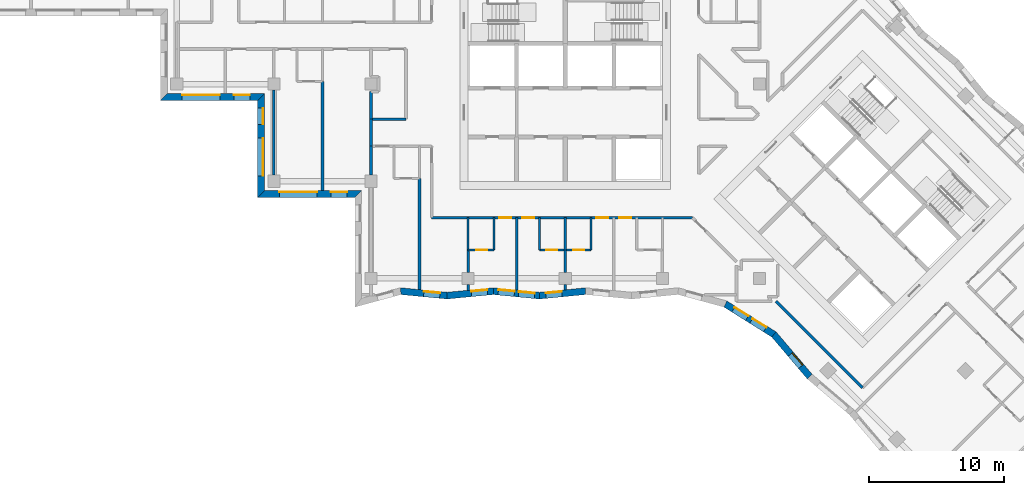
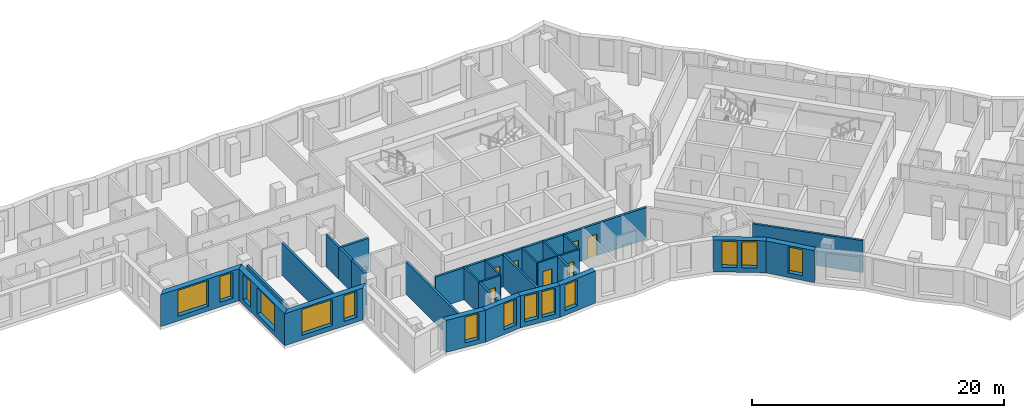
# One storey, part 2 of 12: 30 walls, 14 windows, 7 doors, 21 openings.
"""IFC4 building model written with IfcOpenShell, lengths in metres."""

from ifc_helpers import new_model, si_unit, direction, frame, frame_2d, origin, place, context, subcontext, project, spatial, polyline, rectangle, outline, extrude, material, layer, layer_set, type_object, element, fill, save


model = new_model("IFC4")

# Units and contexts
model_context = context("Model", 3, precision=1e-05, world=origin(), true_north=direction((0.0, 1.0)))
body_context = subcontext(model_context, "Body", "Model", "MODEL_VIEW")
ifc_project = project(units=[si_unit("LENGTHUNIT", "METRE"), si_unit("AREAUNIT", "SQUARE_METRE"), si_unit("VOLUMEUNIT", "CUBIC_METRE"), si_unit("PLANEANGLEUNIT", "RADIAN"), si_unit("MASSUNIT", "GRAM", prefix="KILO")], contexts=[model_context])

# Site, building, storey
site_placement = place(None, origin())
site = spatial("IfcSite", under=ifc_project, at=site_placement, CompositionType="ELEMENT")
building_placement = place(site_placement, origin())
building = spatial("IfcBuilding", under=site, at=building_placement, Name="Windrow Commons", CompositionType="ELEMENT")
storey_placement = place(building_placement, frame((0.0, 0.0, 138.8)))
storey = spatial("IfcBuildingStorey", under=building, at=storey_placement, Name="L37", CompositionType="ELEMENT", Elevation=138.8)

# Wall, openings, windows
ifc_material_1 = material(Name="Brick masonry, red clay brick", Category="masonry")
ifc_layer_1 = layer(ifc_material_1, 0.5)
ifc_layer_set_1 = layer_set([ifc_layer_1], Name="Brick facade wall 500")
wall_type_1 = type_object("IfcWallType", Name="Brick facade wall 500", PredefinedType="SOLIDWALL", material=ifc_layer_set_1)
wall_1_placement = place(storey_placement, frame((35.05, 56.65, 0.0), z_axis=(0.0, 0.0, 1.0), x_axis=(1.0, 0.0, 0.0)))
wall_1 = element("IfcWall", 1, at=wall_1_placement, inside=storey, type_object=wall_type_1, Name="Brick facade wall L37 38", PredefinedType="SOLIDWALL", context=body_context, shape_type="SweptSolid", body=[
    extrude(outline(polyline([(-0.25, -0.25), (6.95, -0.25), (7.45, 0.25), (0.25, 0.25), (-0.25, -0.25)])), origin(), (0.0, 0.0, 1.0), 3.1),
])
opening_1_placement = place(wall_1_placement, frame((1.35, 0.0, 0.45)))
opening_1 = element("IfcOpeningElement", 2, at=opening_1_placement, cuts=wall_1, Name="Opening W1U", PredefinedType="OPENING", context=body_context, shape_type="SweptSolid", body=[
    extrude(rectangle(XDim=2.8, YDim=2.5, at=frame_2d((1.4, 1.25))), frame((0.0, 0.26, 0.0), z_axis=(0.0, -1.0, 0.0), x_axis=(1.0, 0.0, 0.0)), (0.0, 0.0, 1.0), 0.52),
])
opening_2_placement = place(wall_1_placement, frame((5.175, 0.0, 0.45)))
opening_2 = element("IfcOpeningElement", 3, at=opening_2_placement, cuts=wall_1, Name="Opening W7E", PredefinedType="OPENING", context=body_context, shape_type="SweptSolid", body=[
    extrude(rectangle(XDim=1.2, YDim=2.5, at=frame_2d((0.6, 1.25))), frame((0.0, 0.26, 0.0), z_axis=(0.0, -1.0, 0.0), x_axis=(1.0, 0.0, 0.0)), (0.0, 0.0, 1.0), 0.52),
])
ifc_material_2 = material(Name="Clear float glass in anodised aluminium frame", Category="aluminium")
window_type_1 = type_object("IfcWindowType", Name="Window W1U bedroom 2800x2500", PartitioningType="SINGLE_PANEL", PredefinedType="WINDOW", material=ifc_material_2)
window_1_placement = place(opening_1_placement, origin())
window_1 = element("IfcWindow", 4, at=window_1_placement, inside=storey, type_object=window_type_1, Name="Window L37 38.1", OverallHeight=2.5, OverallWidth=2.8, PartitioningType="SINGLE_PANEL", PredefinedType="WINDOW", context=body_context, shape_type="SweptSolid", body=[
    extrude(rectangle(XDim=2.8, YDim=2.5, at=frame_2d((1.4, 1.25))), frame((0.0, 0.18, 0.0), z_axis=(0.0, -1.0, 0.0), x_axis=(1.0, 0.0, 0.0)), (0.0, 0.0, 1.0), 0.06),
])
fill(opening_1, window_1)
ifc_material_3 = material(Name="Clear float glass in anodised aluminium frame", Category="aluminium")
window_type_2 = type_object("IfcWindowType", Name="Window W7 notch 1200x2500", PartitioningType="SINGLE_PANEL", PredefinedType="WINDOW", material=ifc_material_3)
window_2_placement = place(opening_2_placement, origin())
window_2 = element("IfcWindow", 5, at=window_2_placement, inside=storey, type_object=window_type_2, Name="Window L37 38.2", OverallHeight=2.5, OverallWidth=1.2, PartitioningType="SINGLE_PANEL", PredefinedType="WINDOW", context=body_context, shape_type="SweptSolid", body=[
    extrude(rectangle(XDim=1.2, YDim=2.5, at=frame_2d((0.6, 1.25))), frame((0.0, 0.18, 0.0), z_axis=(0.0, -1.0, 0.0), x_axis=(1.0, 0.0, 0.0)), (0.0, 0.0, 1.0), 0.06),
])
fill(opening_2, window_2)

wall_2_placement = place(storey_placement, frame((42.25, 56.65, 0.0), z_axis=(0.0, 0.0, 1.0), x_axis=(0.0, -1.0, 0.0)))
wall_2 = element("IfcWall", 6, at=wall_2_placement, inside=storey, type_object=wall_type_1, Name="Brick facade wall L37 39", PredefinedType="SOLIDWALL", context=body_context, shape_type="SweptSolid", body=[
    extrude(outline(polyline([(0.25, -0.25), (7.45, -0.25), (6.95, 0.25), (-0.25, 0.25), (0.25, -0.25)])), origin(), (0.0, 0.0, 1.0), 3.1),
])
opening_3_placement = place(wall_2_placement, frame((3.05, 0.0, 0.45)))
opening_3 = element("IfcOpeningElement", 7, at=opening_3_placement, cuts=wall_2, Name="Opening W1U", PredefinedType="OPENING", context=body_context, shape_type="SweptSolid", body=[
    extrude(rectangle(XDim=2.8, YDim=2.5, at=frame_2d((1.4, 1.25))), frame((0.0, 0.26, 0.0), z_axis=(0.0, -1.0, 0.0), x_axis=(1.0, 0.0, 0.0)), (0.0, 0.0, 1.0), 0.52),
])
opening_4_placement = place(wall_2_placement, frame((0.825, 0.0, 0.45)))
opening_4 = element("IfcOpeningElement", 8, at=opening_4_placement, cuts=wall_2, Name="Opening W7E", PredefinedType="OPENING", context=body_context, shape_type="SweptSolid", body=[
    extrude(rectangle(XDim=1.2, YDim=2.5, at=frame_2d((0.6, 1.25))), frame((0.0, 0.26, 0.0), z_axis=(0.0, -1.0, 0.0), x_axis=(1.0, 0.0, 0.0)), (0.0, 0.0, 1.0), 0.52),
])
window_3_placement = place(opening_3_placement, origin())
window_3 = element("IfcWindow", 9, at=window_3_placement, inside=storey, type_object=window_type_1, Name="Window L37 39.1", OverallHeight=2.5, OverallWidth=2.8, PartitioningType="SINGLE_PANEL", PredefinedType="WINDOW", context=body_context, shape_type="SweptSolid", body=[
    extrude(rectangle(XDim=2.8, YDim=2.5, at=frame_2d((1.4, 1.25))), frame((0.0, 0.18, 0.0), z_axis=(0.0, -1.0, 0.0), x_axis=(1.0, 0.0, 0.0)), (0.0, 0.0, 1.0), 0.06),
])
fill(opening_3, window_3)
window_4_placement = place(opening_4_placement, origin())
window_4 = element("IfcWindow", 10, at=window_4_placement, inside=storey, type_object=window_type_2, Name="Window L37 39.2", OverallHeight=2.5, OverallWidth=1.2, PartitioningType="SINGLE_PANEL", PredefinedType="WINDOW", context=body_context, shape_type="SweptSolid", body=[
    extrude(rectangle(XDim=1.2, YDim=2.5, at=frame_2d((0.6, 1.25))), frame((0.0, 0.18, 0.0), z_axis=(0.0, -1.0, 0.0), x_axis=(1.0, 0.0, 0.0)), (0.0, 0.0, 1.0), 0.06),
])
fill(opening_4, window_4)

wall_3_placement = place(storey_placement, frame((42.25, 49.45, 0.0), z_axis=(0.0, 0.0, 1.0), x_axis=(1.0, 0.0, 0.0)))
wall_3 = element("IfcWall", 11, at=wall_3_placement, inside=storey, type_object=wall_type_1, Name="Brick facade wall L37 40", PredefinedType="SOLIDWALL", context=body_context, shape_type="SweptSolid", body=[
    extrude(outline(polyline([(-0.25, -0.25), (6.95, -0.25), (7.45, 0.25), (0.25, 0.25), (-0.25, -0.25)])), origin(), (0.0, 0.0, 1.0), 3.1),
])
opening_5_placement = place(wall_3_placement, frame((1.35, 0.0, 0.45)))
opening_5 = element("IfcOpeningElement", 12, at=opening_5_placement, cuts=wall_3, Name="Opening W1U", PredefinedType="OPENING", context=body_context, shape_type="SweptSolid", body=[
    extrude(rectangle(XDim=2.8, YDim=2.5, at=frame_2d((1.4, 1.25))), frame((0.0, 0.26, 0.0), z_axis=(0.0, -1.0, 0.0), x_axis=(1.0, 0.0, 0.0)), (0.0, 0.0, 1.0), 0.52),
])
opening_6_placement = place(wall_3_placement, frame((5.175, 0.0, 0.45)))
opening_6 = element("IfcOpeningElement", 13, at=opening_6_placement, cuts=wall_3, Name="Opening W7E", PredefinedType="OPENING", context=body_context, shape_type="SweptSolid", body=[
    extrude(rectangle(XDim=1.2, YDim=2.5, at=frame_2d((0.6, 1.25))), frame((0.0, 0.26, 0.0), z_axis=(0.0, -1.0, 0.0), x_axis=(1.0, 0.0, 0.0)), (0.0, 0.0, 1.0), 0.52),
])
window_5_placement = place(opening_5_placement, origin())
window_5 = element("IfcWindow", 14, at=window_5_placement, inside=storey, type_object=window_type_1, Name="Window L37 40.1", OverallHeight=2.5, OverallWidth=2.8, PartitioningType="SINGLE_PANEL", PredefinedType="WINDOW", context=body_context, shape_type="SweptSolid", body=[
    extrude(rectangle(XDim=2.8, YDim=2.5, at=frame_2d((1.4, 1.25))), frame((0.0, 0.18, 0.0), z_axis=(0.0, -1.0, 0.0), x_axis=(1.0, 0.0, 0.0)), (0.0, 0.0, 1.0), 0.06),
])
fill(opening_5, window_5)
window_6_placement = place(opening_6_placement, origin())
window_6 = element("IfcWindow", 15, at=window_6_placement, inside=storey, type_object=window_type_2, Name="Window L37 40.2", OverallHeight=2.5, OverallWidth=1.2, PartitioningType="SINGLE_PANEL", PredefinedType="WINDOW", context=body_context, shape_type="SweptSolid", body=[
    extrude(rectangle(XDim=1.2, YDim=2.5, at=frame_2d((0.6, 1.25))), frame((0.0, 0.18, 0.0), z_axis=(0.0, -1.0, 0.0), x_axis=(1.0, 0.0, 0.0)), (0.0, 0.0, 1.0), 0.06),
])
fill(opening_6, window_6)

# Wall, opening, window
wall_4_placement = place(storey_placement, frame((52.5999, 42.2532, 0.0), z_axis=(0.0, 0.0, 1.0), x_axis=(0.9953825051, -0.0959878563, 0.0)))
wall_4 = element("IfcWall", 16, at=wall_4_placement, inside=storey, type_object=wall_type_1, Name="Brick facade wall L37 43", PredefinedType="SOLIDWALL", context=body_context, shape_type="SweptSolid", body=[
    extrude(outline(polyline([(0.0457, -0.25), (3.4829, -0.25), (3.4347, 0.25), (-0.0457, 0.25), (0.0457, -0.25)])), origin(), (0.0, 0.0, 1.0), 3.1),
])
opening_7_placement = place(wall_4_placement, frame((1.7207, 0.0, 0.45)))
opening_7 = element("IfcOpeningElement", 17, at=opening_7_placement, cuts=wall_4, Name="Opening W7E", PredefinedType="OPENING", context=body_context, shape_type="SweptSolid", body=[
    extrude(rectangle(XDim=1.2, YDim=2.5, at=frame_2d((0.6, 1.25))), frame((0.0, 0.26, 0.0), z_axis=(0.0, -1.0, 0.0), x_axis=(1.0, 0.0, 0.0)), (0.0, 0.0, 1.0), 0.52),
])
window_7_placement = place(opening_7_placement, origin())
window_7 = element("IfcWindow", 18, at=window_7_placement, inside=storey, type_object=window_type_2, Name="Window L37 43.1", OverallHeight=2.5, OverallWidth=1.2, PartitioningType="SINGLE_PANEL", PredefinedType="WINDOW", context=body_context, shape_type="SweptSolid", body=[
    extrude(rectangle(XDim=1.2, YDim=2.5, at=frame_2d((0.6, 1.25))), frame((0.0, 0.18, 0.0), z_axis=(0.0, -1.0, 0.0), x_axis=(1.0, 0.0, 0.0)), (0.0, 0.0, 1.0), 0.06),
])
fill(opening_7, window_7)

wall_5_placement = place(storey_placement, frame((56.0427, 41.9212, 0.0), z_axis=(0.0, 0.0, 1.0), x_axis=(0.995380467, 0.096008989, 0.0)))
wall_5 = element("IfcWall", 19, at=wall_5_placement, inside=storey, type_object=wall_type_1, Name="Brick facade wall L37 44", PredefinedType="SOLIDWALL", context=body_context, shape_type="SweptSolid", body=[
    extrude(outline(polyline([(-0.0241, -0.25), (3.4131, -0.25), (3.4613, 0.25), (0.0241, 0.25), (-0.0241, -0.25)])), origin(), (0.0, 0.0, 1.0), 3.1),
])
opening_8_placement = place(wall_5_placement, frame((1.8009, 0.0, 0.45)))
opening_8 = element("IfcOpeningElement", 20, at=opening_8_placement, cuts=wall_5, Name="Opening W7E", PredefinedType="OPENING", context=body_context, shape_type="SweptSolid", body=[
    extrude(rectangle(XDim=1.2, YDim=2.5, at=frame_2d((0.6, 1.25))), frame((0.0, 0.26, 0.0), z_axis=(0.0, -1.0, 0.0), x_axis=(1.0, 0.0, 0.0)), (0.0, 0.0, 1.0), 0.52),
])
window_8_placement = place(opening_8_placement, origin())
window_8 = element("IfcWindow", 21, at=window_8_placement, inside=storey, type_object=window_type_2, Name="Window L37 44.1", OverallHeight=2.5, OverallWidth=1.2, PartitioningType="SINGLE_PANEL", PredefinedType="WINDOW", context=body_context, shape_type="SweptSolid", body=[
    extrude(rectangle(XDim=1.2, YDim=2.5, at=frame_2d((0.6, 1.25))), frame((0.0, 0.18, 0.0), z_axis=(0.0, -1.0, 0.0), x_axis=(1.0, 0.0, 0.0)), (0.0, 0.0, 1.0), 0.06),
])
fill(opening_8, window_8)

# Wall, openings, windows
wall_6_placement = place(storey_placement, frame((59.464, 42.2512, 0.0), z_axis=(0.0, 0.0, 1.0), x_axis=(0.995380467, -0.096008989, 0.0)))
wall_6 = element("IfcWall", 22, at=wall_6_placement, inside=storey, type_object=wall_type_1, Name="Brick facade wall L37 45", PredefinedType="SOLIDWALL", context=body_context, shape_type="SweptSolid", body=[
    extrude(outline(polyline([(0.0241, -0.25), (3.4613, -0.25), (3.4131, 0.25), (-0.0241, 0.25), (0.0241, -0.25)])), origin(), (0.0, 0.0, 1.0), 3.1),
])
opening_9_placement = place(wall_6_placement, frame((0.372, 0.0, 0.45)))
opening_9 = element("IfcOpeningElement", 23, at=opening_9_placement, cuts=wall_6, Name="Opening W7E", PredefinedType="OPENING", context=body_context, shape_type="SweptSolid", body=[
    extrude(rectangle(XDim=1.2, YDim=2.5, at=frame_2d((0.6, 1.25))), frame((0.0, 0.26, 0.0), z_axis=(0.0, -1.0, 0.0), x_axis=(1.0, 0.0, 0.0)), (0.0, 0.0, 1.0), 0.52),
])
opening_10_placement = place(wall_6_placement, frame((1.8786, 0.0, 0.45)))
opening_10 = element("IfcOpeningElement", 24, at=opening_10_placement, cuts=wall_6, Name="Opening W7E", PredefinedType="OPENING", context=body_context, shape_type="SweptSolid", body=[
    extrude(rectangle(XDim=1.2, YDim=2.5, at=frame_2d((0.6, 1.25))), frame((0.0, 0.26, 0.0), z_axis=(0.0, -1.0, 0.0), x_axis=(1.0, 0.0, 0.0)), (0.0, 0.0, 1.0), 0.52),
])
window_9_placement = place(opening_9_placement, origin())
window_9 = element("IfcWindow", 25, at=window_9_placement, inside=storey, type_object=window_type_2, Name="Window L37 45.1", OverallHeight=2.5, OverallWidth=1.2, PartitioningType="SINGLE_PANEL", PredefinedType="WINDOW", context=body_context, shape_type="SweptSolid", body=[
    extrude(rectangle(XDim=1.2, YDim=2.5, at=frame_2d((0.6, 1.25))), frame((0.0, 0.18, 0.0), z_axis=(0.0, -1.0, 0.0), x_axis=(1.0, 0.0, 0.0)), (0.0, 0.0, 1.0), 0.06),
])
fill(opening_9, window_9)
window_10_placement = place(opening_10_placement, origin())
window_10 = element("IfcWindow", 26, at=window_10_placement, inside=storey, type_object=window_type_2, Name="Window L37 45.2", OverallHeight=2.5, OverallWidth=1.2, PartitioningType="SINGLE_PANEL", PredefinedType="WINDOW", context=body_context, shape_type="SweptSolid", body=[
    extrude(rectangle(XDim=1.2, YDim=2.5, at=frame_2d((0.6, 1.25))), frame((0.0, 0.18, 0.0), z_axis=(0.0, -1.0, 0.0), x_axis=(1.0, 0.0, 0.0)), (0.0, 0.0, 1.0), 0.06),
])
fill(opening_10, window_10)

# Wall, opening, window
wall_7_placement = place(storey_placement, frame((62.8853, 41.9212, 0.0), z_axis=(0.0, 0.0, 1.0), x_axis=(0.9953807351, 0.0960062087, 0.0)))
wall_7 = element("IfcWall", 27, at=wall_7_placement, inside=storey, type_object=wall_type_1, Name="Brick facade wall L37 46", PredefinedType="SOLIDWALL", context=body_context, shape_type="SweptSolid", body=[
    extrude(outline(polyline([(-0.0241, -0.25), (3.4131, -0.25), (3.4613, 0.25), (0.0241, 0.25), (-0.0241, -0.25)])), origin(), (0.0, 0.0, 1.0), 3.1),
])
opening_11_placement = place(wall_7_placement, frame((0.4738, 0.0, 0.45)))
opening_11 = element("IfcOpeningElement", 28, at=opening_11_placement, cuts=wall_7, Name="Opening W7E", PredefinedType="OPENING", context=body_context, shape_type="SweptSolid", body=[
    extrude(rectangle(XDim=1.2, YDim=2.5, at=frame_2d((0.6, 1.25))), frame((0.0, 0.26, 0.0), z_axis=(0.0, -1.0, 0.0), x_axis=(1.0, 0.0, 0.0)), (0.0, 0.0, 1.0), 0.52),
])
window_11_placement = place(opening_11_placement, origin())
window_11 = element("IfcWindow", 29, at=window_11_placement, inside=storey, type_object=window_type_2, Name="Window L37 46.1", OverallHeight=2.5, OverallWidth=1.2, PartitioningType="SINGLE_PANEL", PredefinedType="WINDOW", context=body_context, shape_type="SweptSolid", body=[
    extrude(rectangle(XDim=1.2, YDim=2.5, at=frame_2d((0.6, 1.25))), frame((0.0, 0.18, 0.0), z_axis=(0.0, -1.0, 0.0), x_axis=(1.0, 0.0, 0.0)), (0.0, 0.0, 1.0), 0.06),
])
fill(opening_11, window_11)

# Wall, openings, windows
wall_8_placement = place(storey_placement, frame((76.6721, 41.3015, 0.0), z_axis=(0.0, 0.0, 1.0), x_axis=(0.8470056686, -0.5315838574, 0.0)))
wall_8 = element("IfcWall", 30, at=wall_8_placement, inside=storey, type_object=wall_type_1, Name="Brick facade wall L37 50", PredefinedType="SOLIDWALL", context=body_context, shape_type="SweptSolid", body=[
    extrude(outline(polyline([(0.0372, -0.25), (4.2069, -0.25), (4.284, 0.25), (-0.0372, 0.25), (0.0372, -0.25)])), origin(), (0.0, 0.0, 1.0), 3.1),
])
opening_12_placement = place(wall_8_placement, frame((0.7119, 0.0, 0.45)))
opening_12 = element("IfcOpeningElement", 31, at=opening_12_placement, cuts=wall_8, Name="Opening W7E", PredefinedType="OPENING", context=body_context, shape_type="SweptSolid", body=[
    extrude(rectangle(XDim=1.2, YDim=2.5, at=frame_2d((0.6, 1.25))), frame((0.0, 0.26, 0.0), z_axis=(0.0, -1.0, 0.0), x_axis=(1.0, 0.0, 0.0)), (0.0, 0.0, 1.0), 0.52),
])
opening_13_placement = place(wall_8_placement, frame((2.2846, 0.0, 0.45)))
opening_13 = element("IfcOpeningElement", 32, at=opening_13_placement, cuts=wall_8, Name="Opening W7E", PredefinedType="OPENING", context=body_context, shape_type="SweptSolid", body=[
    extrude(rectangle(XDim=1.2, YDim=2.5, at=frame_2d((0.6, 1.25))), frame((0.0, 0.26, 0.0), z_axis=(0.0, -1.0, 0.0), x_axis=(1.0, 0.0, 0.0)), (0.0, 0.0, 1.0), 0.52),
])
window_12_placement = place(opening_12_placement, origin())
window_12 = element("IfcWindow", 33, at=window_12_placement, inside=storey, type_object=window_type_2, Name="Window L37 50.1", OverallHeight=2.5, OverallWidth=1.2, PartitioningType="SINGLE_PANEL", PredefinedType="WINDOW", context=body_context, shape_type="SweptSolid", body=[
    extrude(rectangle(XDim=1.2, YDim=2.5, at=frame_2d((0.6, 1.25))), frame((0.0, 0.18, 0.0), z_axis=(0.0, -1.0, 0.0), x_axis=(1.0, 0.0, 0.0)), (0.0, 0.0, 1.0), 0.06),
])
fill(opening_12, window_12)
window_13_placement = place(opening_13_placement, origin())
window_13 = element("IfcWindow", 34, at=window_13_placement, inside=storey, type_object=window_type_2, Name="Window L37 50.2", OverallHeight=2.5, OverallWidth=1.2, PartitioningType="SINGLE_PANEL", PredefinedType="WINDOW", context=body_context, shape_type="SweptSolid", body=[
    extrude(rectangle(XDim=1.2, YDim=2.5, at=frame_2d((0.6, 1.25))), frame((0.0, 0.18, 0.0), z_axis=(0.0, -1.0, 0.0), x_axis=(1.0, 0.0, 0.0)), (0.0, 0.0, 1.0), 0.06),
])
fill(opening_13, window_13)

# Wall, opening, window
wall_9_placement = place(storey_placement, frame((80.268, 39.0447, 0.0), z_axis=(0.0, 0.0, 1.0), x_axis=(0.6475669262, -0.76200858, 0.0)))
wall_9 = element("IfcWall", 35, at=wall_9_placement, inside=storey, type_object=wall_type_1, Name="Brick facade wall L37 51", PredefinedType="SOLIDWALL", context=body_context, shape_type="SweptSolid", body=[
    extrude(outline(polyline([(0.0385, -0.25), (4.1167, -0.25), (4.0761, 0.25), (-0.0385, 0.25), (0.0385, -0.25)])), origin(), (0.0, 0.0, 1.0), 3.1),
])
opening_14_placement = place(wall_9_placement, frame((1.9108, 0.0, 0.45)))
opening_14 = element("IfcOpeningElement", 36, at=opening_14_placement, cuts=wall_9, Name="Opening W7E", PredefinedType="OPENING", context=body_context, shape_type="SweptSolid", body=[
    extrude(rectangle(XDim=1.2, YDim=2.5, at=frame_2d((0.6, 1.25))), frame((0.0, 0.26, 0.0), z_axis=(0.0, -1.0, 0.0), x_axis=(1.0, 0.0, 0.0)), (0.0, 0.0, 1.0), 0.52),
])
window_14_placement = place(opening_14_placement, origin())
window_14 = element("IfcWindow", 37, at=window_14_placement, inside=storey, type_object=window_type_2, Name="Window L37 51.1", OverallHeight=2.5, OverallWidth=1.2, PartitioningType="SINGLE_PANEL", PredefinedType="WINDOW", context=body_context, shape_type="SweptSolid", body=[
    extrude(rectangle(XDim=1.2, YDim=2.5, at=frame_2d((0.6, 1.25))), frame((0.0, 0.18, 0.0), z_axis=(0.0, -1.0, 0.0), x_axis=(1.0, 0.0, 0.0)), (0.0, 0.0, 1.0), 0.06),
])
fill(opening_14, window_14)

# Wall, openings, doors
ifc_material_4 = material(Name="Blockwork partition", Category="masonry")
ifc_layer_2 = layer(ifc_material_4, 0.2)
ifc_layer_set_2 = layer_set([ifc_layer_2], Name="IW-CORRIDOR-200")
wall_type_2 = type_object("IfcWallType", Name="IW-CORRIDOR-200", PredefinedType="PARTITIONING", material=ifc_layer_set_2)
wall_10_placement = place(storey_placement, frame((54.9, 47.7, 0.0), z_axis=(0.0, 0.0, 1.0), x_axis=(1.0, 0.0, 0.0)))
wall_10 = element("IfcWall", 38, at=wall_10_placement, inside=storey, type_object=wall_type_2, Name="W-L37-W001", PredefinedType="PARTITIONING", context=body_context, shape_type="SweptSolid", body=[
    extrude(rectangle(XDim=19.326, YDim=0.2, at=frame_2d((9.663, 0.0))), origin(), (0.0, 0.0, 1.0), 3.1),
])
opening_15_placement = place(wall_10_placement, frame((5.0, 0.0, 0.0)))
opening_15 = element("IfcOpeningElement", 39, at=opening_15_placement, cuts=wall_10, Name="Opening D109S", PredefinedType="OPENING", context=body_context, shape_type="SweptSolid", body=[
    extrude(rectangle(XDim=0.9, YDim=2.1, at=frame_2d((0.45, 1.05))), frame((0.0, 0.11, 0.0), z_axis=(0.0, -1.0, 0.0), x_axis=(1.0, 0.0, 0.0)), (0.0, 0.0, 1.0), 0.22),
])
opening_16_placement = place(wall_10_placement, frame((12.2, 0.0, 0.0)))
opening_16 = element("IfcOpeningElement", 40, at=opening_16_placement, cuts=wall_10, Name="Opening D109S", PredefinedType="OPENING", context=body_context, shape_type="SweptSolid", body=[
    extrude(rectangle(XDim=0.9, YDim=2.1, at=frame_2d((0.45, 1.05))), frame((0.0, 0.11, 0.0), z_axis=(0.0, -1.0, 0.0), x_axis=(1.0, 0.0, 0.0)), (0.0, 0.0, 1.0), 0.22),
])
opening_17_placement = place(wall_10_placement, frame((6.7, 0.0, 0.0)))
opening_17 = element("IfcOpeningElement", 41, at=opening_17_placement, cuts=wall_10, Name="Opening D109S", PredefinedType="OPENING", context=body_context, shape_type="SweptSolid", body=[
    extrude(rectangle(XDim=0.9, YDim=2.1, at=frame_2d((0.45, 1.05))), frame((0.0, 0.11, 0.0), z_axis=(0.0, -1.0, 0.0), x_axis=(1.0, 0.0, 0.0)), (0.0, 0.0, 1.0), 0.22),
])
opening_18_placement = place(wall_10_placement, frame((13.9, 0.0, 0.0)))
opening_18 = element("IfcOpeningElement", 42, at=opening_18_placement, cuts=wall_10, Name="Opening D109S", PredefinedType="OPENING", context=body_context, shape_type="SweptSolid", body=[
    extrude(rectangle(XDim=0.9, YDim=2.1, at=frame_2d((0.45, 1.05))), frame((0.0, 0.11, 0.0), z_axis=(0.0, -1.0, 0.0), x_axis=(1.0, 0.0, 0.0)), (0.0, 0.0, 1.0), 0.22),
])
ifc_material_5 = material(Name="Timber door leaf", Category="wood")
door_type_1 = type_object("IfcDoorType", Name="DT-BEDROOM-900", OperationType="SINGLE_SWING_LEFT", PredefinedType="DOOR", material=ifc_material_5)
door_1_placement = place(opening_15_placement, origin())
door_1 = element("IfcDoor", 43, at=door_1_placement, inside=storey, type_object=door_type_1, Name="D-L37-D027", OperationType="SINGLE_SWING_LEFT", OverallHeight=2.1, OverallWidth=0.9, PredefinedType="DOOR", context=body_context, shape_type="SweptSolid", body=[
    extrude(rectangle(XDim=0.9, YDim=2.1, at=frame_2d((0.45, 1.05))), frame((0.0, 0.025, 0.0), z_axis=(0.0, -1.0, 0.0), x_axis=(1.0, 0.0, 0.0)), (0.0, 0.0, 1.0), 0.05),
])
fill(opening_15, door_1)
door_2_placement = place(opening_16_placement, origin())
door_2 = element("IfcDoor", 44, at=door_2_placement, inside=storey, type_object=door_type_1, Name="D-L37-D029", OperationType="SINGLE_SWING_LEFT", OverallHeight=2.1, OverallWidth=0.9, PredefinedType="DOOR", context=body_context, shape_type="SweptSolid", body=[
    extrude(rectangle(XDim=0.9, YDim=2.1, at=frame_2d((0.45, 1.05))), frame((0.0, 0.025, 0.0), z_axis=(0.0, -1.0, 0.0), x_axis=(1.0, 0.0, 0.0)), (0.0, 0.0, 1.0), 0.05),
])
fill(opening_16, door_2)
door_3_placement = place(opening_17_placement, origin())
door_3 = element("IfcDoor", 45, at=door_3_placement, inside=storey, type_object=door_type_1, Name="D-L37-D033", OperationType="SINGLE_SWING_RIGHT", OverallHeight=2.1, OverallWidth=0.9, PredefinedType="DOOR", context=body_context, shape_type="SweptSolid", body=[
    extrude(rectangle(XDim=0.9, YDim=2.1, at=frame_2d((0.45, 1.05))), frame((0.0, 0.025, 0.0), z_axis=(0.0, -1.0, 0.0), x_axis=(1.0, 0.0, 0.0)), (0.0, 0.0, 1.0), 0.05),
])
fill(opening_17, door_3)
door_4_placement = place(opening_18_placement, origin())
door_4 = element("IfcDoor", 46, at=door_4_placement, inside=storey, type_object=door_type_1, Name="D-L37-D035", OperationType="SINGLE_SWING_RIGHT", OverallHeight=2.1, OverallWidth=0.9, PredefinedType="DOOR", context=body_context, shape_type="SweptSolid", body=[
    extrude(rectangle(XDim=0.9, YDim=2.1, at=frame_2d((0.45, 1.05))), frame((0.0, 0.025, 0.0), z_axis=(0.0, -1.0, 0.0), x_axis=(1.0, 0.0, 0.0)), (0.0, 0.0, 1.0), 0.05),
])
fill(opening_18, door_4)

# Walls
wall_11_placement = place(storey_placement, frame((80.4227, 41.4967, 0.0), z_axis=(0.0, 0.0, 1.0), x_axis=(0.7071067812, -0.7071067812, 0.0)))
element("IfcWall", 47, at=wall_11_placement, inside=storey, type_object=wall_type_2, Name="W-L37-W009", PredefinedType="PARTITIONING", context=body_context, shape_type="SweptSolid", body=[
    extrude(rectangle(XDim=9.0651, YDim=0.2, at=frame_2d((4.5325, 0.0))), origin(), (0.0, 0.0, 1.0), 3.1),
])
wall_12_placement = place(storey_placement, frame((50.4, 55.0, 0.0), z_axis=(0.0, 0.0, 1.0), x_axis=(1.0, 0.0, 0.0)))
element("IfcWall", 48, at=wall_12_placement, inside=storey, type_object=wall_type_2, Name="W-L37-W058", PredefinedType="PARTITIONING", context=body_context, shape_type="SweptSolid", body=[
    extrude(rectangle(XDim=2.6, YDim=0.2, at=frame_2d((1.3, 0.0))), origin(), (0.0, 0.0, 1.0), 3.1),
])
wall_13_placement = place(storey_placement, frame((50.4, 53.0, 0.0), z_axis=(0.0, 0.0, 1.0), x_axis=(0.0, 1.0, 0.0)))
element("IfcWall", 49, at=wall_13_placement, inside=storey, type_object=wall_type_2, Name="W-L37-W108", PredefinedType="PARTITIONING", context=body_context, shape_type="SweptSolid", body=[
    extrude(rectangle(XDim=2.0, YDim=0.2, at=frame_2d((1.0, 0.0))), origin(), (0.0, 0.0, 1.0), 3.1),
])

# Wall, openings, doors
ifc_material_6 = material(Name="Blockwork partition", Category="masonry")
ifc_layer_3 = layer(ifc_material_6, 0.15)
ifc_layer_set_3 = layer_set([ifc_layer_3], Name="IW-ENSUITE-150")
wall_type_3 = type_object("IfcWallType", Name="IW-ENSUITE-150", PredefinedType="PARTITIONING", material=ifc_layer_set_3)
wall_14_placement = place(storey_placement, frame((62.9, 45.3, 0.0), z_axis=(0.0, 0.0, 1.0), x_axis=(1.0, 0.0, 0.0)))
wall_14 = element("IfcWall", 50, at=wall_14_placement, inside=storey, type_object=wall_type_3, Name="W-L37-W045", PredefinedType="PARTITIONING", context=body_context, shape_type="SweptSolid", body=[
    extrude(rectangle(XDim=3.8, YDim=0.15, at=frame_2d((1.9, 0.0))), origin(), (0.0, 0.0, 1.0), 3.1),
])
opening_19_placement = place(wall_14_placement, frame((2.5069, 0.0, 0.0)))
opening_19 = element("IfcOpeningElement", 51, at=opening_19_placement, cuts=wall_14, Name="Opening D208N", PredefinedType="OPENING", context=body_context, shape_type="SweptSolid", body=[
    extrude(rectangle(XDim=0.8, YDim=2.1, at=frame_2d((0.4, 1.05))), frame((0.0, 0.085, 0.0), z_axis=(0.0, -1.0, 0.0), x_axis=(1.0, 0.0, 0.0)), (0.0, 0.0, 1.0), 0.17),
])
opening_20_placement = place(wall_14_placement, frame((0.4931, 0.0, 0.0)))
opening_20 = element("IfcOpeningElement", 52, at=opening_20_placement, cuts=wall_14, Name="Opening D208N", PredefinedType="OPENING", context=body_context, shape_type="SweptSolid", body=[
    extrude(rectangle(XDim=0.8, YDim=2.1, at=frame_2d((0.4, 1.05))), frame((0.0, 0.085, 0.0), z_axis=(0.0, -1.0, 0.0), x_axis=(1.0, 0.0, 0.0)), (0.0, 0.0, 1.0), 0.17),
])
ifc_material_7 = material(Name="Timber door leaf", Category="wood")
door_type_2 = type_object("IfcDoorType", Name="DT-ENSUITE-800", OperationType="SINGLE_SWING_LEFT", PredefinedType="DOOR", material=ifc_material_7)
door_5_placement = place(opening_19_placement, origin())
door_5 = element("IfcDoor", 53, at=door_5_placement, inside=storey, type_object=door_type_2, Name="D-L37-D030", OperationType="SINGLE_SWING_RIGHT", OverallHeight=2.1, OverallWidth=0.8, PredefinedType="DOOR", context=body_context, shape_type="SweptSolid", body=[
    extrude(rectangle(XDim=0.8, YDim=2.1, at=frame_2d((0.4, 1.05))), frame((0.0, 0.025, 0.0), z_axis=(0.0, -1.0, 0.0), x_axis=(1.0, 0.0, 0.0)), (0.0, 0.0, 1.0), 0.05),
])
fill(opening_19, door_5)
door_6_placement = place(opening_20_placement, origin())
door_6 = element("IfcDoor", 54, at=door_6_placement, inside=storey, type_object=door_type_2, Name="D-L37-D034", OperationType="SINGLE_SWING_RIGHT", OverallHeight=2.1, OverallWidth=0.8, PredefinedType="DOOR", context=body_context, shape_type="SweptSolid", body=[
    extrude(rectangle(XDim=0.8, YDim=2.1, at=frame_2d((0.4, 1.05))), frame((0.0, 0.025, 0.0), z_axis=(0.0, -1.0, 0.0), x_axis=(1.0, 0.0, 0.0)), (0.0, 0.0, 1.0), 0.05),
])
fill(opening_20, door_6)

# Walls
for number, where, z_axis, x_axis, name in (
    (55, (59.5, 45.3, 0.0), (0.0, 0.0, 1.0), (0.0, 1.0, 0.0), "W-L37-W067"),
    (56, (57.6, 45.3, 0.0), (0.0, 0.0, 1.0), (0.0, 1.0, 0.0), "W-L37-W068"),
    (57, (62.9, 45.3, 0.0), (0.0, 0.0, 1.0), (0.0, 1.0, 0.0), "W-L37-W069"),
    (58, (66.7, 45.3, 0.0), (0.0, 0.0, 1.0), (0.0, 1.0, 0.0), "W-L37-W070"),
    (59, (64.8, 45.3, 0.0), (0.0, 0.0, 1.0), (0.0, 1.0, 0.0), "W-L37-W071"),
):
    element("IfcWall", number, at=place(storey_placement, frame(where, z_axis=z_axis, x_axis=x_axis)), inside=storey, type_object=wall_type_3, Name=name, PredefinedType="PARTITIONING", context=body_context, shape_type="SweptSolid", body=[
        extrude(rectangle(XDim=2.4, YDim=0.15, at=frame_2d((1.2, 0.0))), origin(), (0.0, 0.0, 1.0), 3.1),
    ])

# Wall, opening, door
wall_15_placement = place(storey_placement, frame((57.6, 45.3, 0.0), z_axis=(0.0, 0.0, 1.0), x_axis=(1.0, 0.0, 0.0)))
wall_15 = element("IfcWall", 60, at=wall_15_placement, inside=storey, type_object=wall_type_3, Name="W-L37-W126", PredefinedType="PARTITIONING", context=body_context, shape_type="SweptSolid", body=[
    extrude(rectangle(XDim=1.9, YDim=0.15, at=frame_2d((0.95, 0.0))), origin(), (0.0, 0.0, 1.0), 3.1),
])
opening_21_placement = place(wall_15_placement, frame((0.6069, 0.0, 0.0)))
opening_21 = element("IfcOpeningElement", 61, at=opening_21_placement, cuts=wall_15, Name="Opening D208N", PredefinedType="OPENING", context=body_context, shape_type="SweptSolid", body=[
    extrude(rectangle(XDim=0.8, YDim=2.1, at=frame_2d((0.4, 1.05))), frame((0.0, 0.085, 0.0), z_axis=(0.0, -1.0, 0.0), x_axis=(1.0, 0.0, 0.0)), (0.0, 0.0, 1.0), 0.17),
])
door_7_placement = place(opening_21_placement, origin())
door_7 = element("IfcDoor", 62, at=door_7_placement, inside=storey, type_object=door_type_2, Name="D-L37-D028", OperationType="SINGLE_SWING_RIGHT", OverallHeight=2.1, OverallWidth=0.8, PredefinedType="DOOR", context=body_context, shape_type="SweptSolid", body=[
    extrude(rectangle(XDim=0.8, YDim=2.1, at=frame_2d((0.4, 1.05))), frame((0.0, 0.025, 0.0), z_axis=(0.0, -1.0, 0.0), x_axis=(1.0, 0.0, 0.0)), (0.0, 0.0, 1.0), 0.05),
])
fill(opening_21, door_7)

# Walls
ifc_material_8 = material(Name="Blockwork partition", Category="masonry")
ifc_layer_4 = layer(ifc_material_8, 0.2)
ifc_layer_set_4 = layer_set([ifc_layer_4], Name="IW-PARTY-200")
wall_type_4 = type_object("IfcWallType", Name="IW-PARTY-200", PredefinedType="PARTITIONING", material=ifc_layer_set_4)
wall_16_placement = place(storey_placement, frame((54.0, 42.3693, 0.0), z_axis=(0.0, 0.0, 1.0), x_axis=(0.0, 1.0, 0.0)))
element("IfcWall", 63, at=wall_16_placement, inside=storey, type_object=wall_type_4, Name="W-L37-W015", PredefinedType="PARTITIONING", context=body_context, shape_type="SweptSolid", body=[
    extrude(rectangle(XDim=8.2307, YDim=0.2, at=frame_2d((4.1154, 0.0))), origin(), (0.0, 0.0, 1.0), 3.1),
])
wall_17_placement = place(storey_placement, frame((46.8, 49.7, 0.0), z_axis=(0.0, 0.0, 1.0), x_axis=(0.0, 1.0, 0.0)))
element("IfcWall", 64, at=wall_17_placement, inside=storey, type_object=wall_type_4, Name="W-L37-W020", PredefinedType="PARTITIONING", context=body_context, shape_type="SweptSolid", body=[
    extrude(rectangle(XDim=8.1, YDim=0.2, at=frame_2d((4.05, 0.0))), origin(), (0.0, 0.0, 1.0), 3.1),
])
wall_18_placement = place(storey_placement, frame((43.2, 50.85, 0.0), z_axis=(0.0, 0.0, 1.0), x_axis=(0.0, 1.0, 0.0)))
element("IfcWall", 65, at=wall_18_placement, inside=storey, type_object=wall_type_4, Name="W-L37-W024", PredefinedType="PARTITIONING", context=body_context, shape_type="SweptSolid", body=[
    extrude(rectangle(XDim=6.3, YDim=0.2, at=frame_2d((3.15, 0.0))), origin(), (0.0, 0.0, 1.0), 2.6),
])
wall_19_placement = place(storey_placement, frame((61.2, 42.3349, 0.0), z_axis=(0.0, 0.0, 1.0), x_axis=(0.0, 1.0, 0.0)))
element("IfcWall", 66, at=wall_19_placement, inside=storey, type_object=wall_type_4, Name="W-L37-W030", PredefinedType="PARTITIONING", context=body_context, shape_type="SweptSolid", body=[
    extrude(rectangle(XDim=5.3651, YDim=0.2, at=frame_2d((2.6825, 0.0))), origin(), (0.0, 0.0, 1.0), 3.1),
])
wall_20_placement = place(storey_placement, frame((50.4, 50.85, 0.0), z_axis=(0.0, 0.0, 1.0), x_axis=(0.0, 1.0, 0.0)))
element("IfcWall", 67, at=wall_20_placement, inside=storey, type_object=wall_type_4, Name="W-L37-W099", PredefinedType="PARTITIONING", context=body_context, shape_type="SweptSolid", body=[
    extrude(rectangle(XDim=2.15, YDim=0.2, at=frame_2d((1.075, 0.0))), origin(), (0.0, 0.0, 1.0), 3.1),
])
wall_21_placement = place(storey_placement, frame((50.4, 55.0, 0.0), z_axis=(0.0, 0.0, 1.0), x_axis=(0.0, 1.0, 0.0)))
element("IfcWall", 68, at=wall_21_placement, inside=storey, type_object=wall_type_4, Name="W-L37-W104", PredefinedType="PARTITIONING", context=body_context, shape_type="SweptSolid", body=[
    extrude(rectangle(XDim=2.044, YDim=0.2, at=frame_2d((1.022, 0.0))), origin(), (0.0, 0.0, 1.0), 3.1),
])
for number, where, z_axis, x_axis, name in (
    (69, (57.6, 43.65, 0.0), (0.0, 0.0, 1.0), (0.0, 1.0, 0.0), "W-L37-W137"),
    (70, (64.8, 43.65, 0.0), (0.0, 0.0, 1.0), (0.0, 1.0, 0.0), "W-L37-W138"),
):
    element("IfcWall", number, at=place(storey_placement, frame(where, z_axis=z_axis, x_axis=x_axis)), inside=storey, type_object=wall_type_4, Name=name, PredefinedType="PARTITIONING", context=body_context, shape_type="SweptSolid", body=[
        extrude(rectangle(XDim=1.65, YDim=0.2, at=frame_2d((0.825, 0.0))), origin(), (0.0, 0.0, 1.0), 3.1),
    ])
wall_22_placement = place(storey_placement, frame((57.6, 42.3225, 0.0), z_axis=(0.0, 0.0, 1.0), x_axis=(0.0, 1.0, 0.0)))
element("IfcWall", 71, at=wall_22_placement, inside=storey, type_object=wall_type_4, Name="W-L37-W180", PredefinedType="PARTITIONING", context=body_context, shape_type="SweptSolid", body=[
    extrude(rectangle(XDim=0.4275, YDim=0.2, at=frame_2d((0.2137, 0.0))), origin(), (0.0, 0.0, 1.0), 3.1),
])
wall_23_placement = place(storey_placement, frame((64.8, 42.357, 0.0), z_axis=(0.0, 0.0, 1.0), x_axis=(0.0, 1.0, 0.0)))
element("IfcWall", 72, at=wall_23_placement, inside=storey, type_object=wall_type_4, Name="W-L37-W181", PredefinedType="PARTITIONING", context=body_context, shape_type="SweptSolid", body=[
    extrude(rectangle(XDim=0.393, YDim=0.2, at=frame_2d((0.1965, 0.0))), origin(), (0.0, 0.0, 1.0), 3.1),
])

save(model, "model.ifc")
